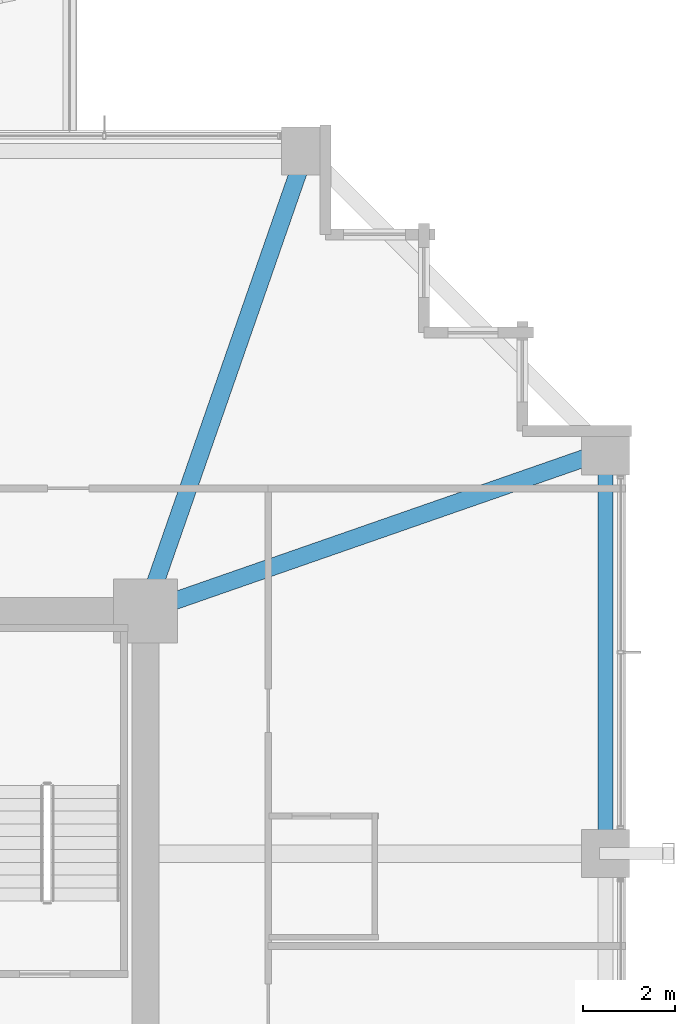
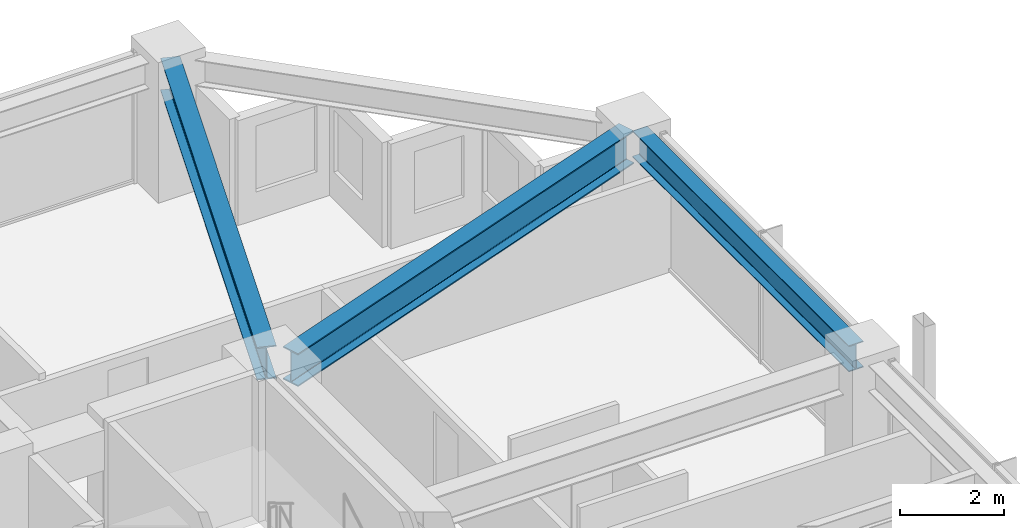
# One storey, part 24 of 38: 3 beams.
"""IFC4 building model written with IfcOpenShell, lengths in metres."""

import ifcopenshell
import ifcopenshell.guid

model = None  # the IFC model being written
_history = None  # IfcOwnerHistory: only IFC2X3 demands one
_inside = {}  # id of a spatial element -> (the spatial element, [elements in it])
_under = {}  # id of a project, library or spatial element -> (it, [spatial elements below it])
_declared = {}  # id of a project -> (the project, [libraries it declares])
_typed = {}  # id of a type object -> (the type object, [elements of that type])
_made_of = {}  # id of a material, layer set ... -> (it, [elements and type objects made of it])


def new_model(schema):
    """Start an empty IFC model of exactly this schema.

    Asked for "IFC4X3", IfcOpenShell would pick the latest addendum, in which some entities
    have other attributes; the version numbers below select the first issue.
    IFC2X3 requires an IfcOwnerHistory on every rooted entity: one is made here for all.
    """
    global model, _history
    if schema == "IFC4X3":
        model = ifcopenshell.file(schema_version=(4, 3, 0, 0))
    else:
        model = ifcopenshell.file(schema=schema)
    _inside.clear()
    _under.clear()
    _declared.clear()
    _typed.clear()
    _made_of.clear()
    _history = None
    if model.schema == "IFC2X3":
        org = make("IfcOrganization", Name="unknown")
        user = make(
            "IfcPersonAndOrganization",
            ThePerson=make("IfcPerson", FamilyName="unknown"),
            TheOrganization=org,
        )
        app = make(
            "IfcApplication",
            ApplicationDeveloper=org,
            Version="unknown",
            ApplicationFullName="unknown",
            ApplicationIdentifier="unknown",
        )
        _history = make(
            "IfcOwnerHistory",
            OwningUser=user,
            OwningApplication=app,
            ChangeAction="ADDED",
            CreationDate=0,
        )
    return model


def make(cls, **values):
    """One entity of the class cls with the attributes given. An attribute that is None is left unset."""
    return model.create_entity(
        cls, **{name: value for name, value in values.items() if value is not None}
    )


def rooted(cls, **values):
    """An entity with a GlobalId (a new one), such as an element, a storey or a relation."""
    return make(cls, GlobalId=ifcopenshell.guid.new(), OwnerHistory=_history, **values)


def si_unit(unit_type, name, prefix=None):
    """IfcSIUnit, for example si_unit("LENGTHUNIT", "METRE", prefix="MILLI")."""
    return make("IfcSIUnit", UnitType=unit_type, Prefix=prefix, Name=name)


def assignment(units):
    """IfcUnitAssignment: the units of a project."""
    return None if units is None else make("IfcUnitAssignment", Units=units)


def point(xyz):
    """IfcCartesianPoint."""
    return None if xyz is None else make("IfcCartesianPoint", Coordinates=xyz)


def direction(xyz):
    """IfcDirection."""
    return None if xyz is None else make("IfcDirection", DirectionRatios=xyz)


def frame(location, z_axis=None, x_axis=None):
    """IfcAxis2Placement3D, a coordinate frame: its origin and axes. An axis left out is left unset."""
    return make(
        "IfcAxis2Placement3D",
        Location=point(location),
        Axis=direction(z_axis),
        RefDirection=direction(x_axis),
    )


def frame_2d(location, x_axis=None):
    """IfcAxis2Placement2D, a coordinate frame in the plane: its origin and x axis."""
    return make(
        "IfcAxis2Placement2D", Location=point(location), RefDirection=direction(x_axis)
    )


def origin():
    """The frame at (0, 0, 0) with its axes left unset."""
    return frame((0.0, 0.0, 0.0))


def origin_2d():
    """The frame at (0, 0) in the plane with its x axis left unset."""
    return frame_2d((0.0, 0.0))


def place(relative_to, where):
    """IfcLocalPlacement: puts the frame where relative to a parent placement (None: the world)."""
    return make(
        "IfcLocalPlacement", PlacementRelTo=relative_to, RelativePlacement=where
    )


def context(
    kind, dimensions, precision=None, world=None, true_north=None, identifier=None
):
    """IfcGeometricRepresentationContext, for example the 3D "Model" context."""
    return make(
        "IfcGeometricRepresentationContext",
        ContextIdentifier=identifier,
        ContextType=kind,
        CoordinateSpaceDimension=dimensions,
        Precision=precision,
        WorldCoordinateSystem=world,
        TrueNorth=true_north,
    )


def subcontext(parent, identifier, kind, view, scale=None):
    """IfcGeometricRepresentationSubContext, for example "Body" below "Model"."""
    return make(
        "IfcGeometricRepresentationSubContext",
        ContextIdentifier=identifier,
        ContextType=kind,
        ParentContext=parent,
        TargetScale=scale,
        TargetView=view,
    )


def project(units=None, contexts=None):
    """IfcProject with its units and contexts."""
    return rooted(
        "IfcProject",
        Name="project",
        RepresentationContexts=contexts,
        UnitsInContext=assignment(units),
    )


def spatial(cls, under=None, at=None, **own):
    """A site, building, storey or space (cls), placed at a placement, below another one or the project."""
    s = rooted(cls, ObjectPlacement=at, **own)
    if under is not None:
        _under.setdefault(under.id(), (under, []))[1].append(s)
    return s


def profile(cls, at=None, kind="AREA", **sizes):
    """A parametric profile (cls). Its sizes go by their IFC names, for example OverallWidth=200.0."""
    return make(cls, ProfileType=kind, Position=at, **sizes)


def i_section(**sizes):
    """IfcIShapeProfileDef."""
    return profile("IfcIShapeProfileDef", **sizes)


def extrude(swept, where, along, depth):
    """IfcExtrudedAreaSolid: the profile swept, set in the frame where, extruded along a direction by depth."""
    return make(
        "IfcExtrudedAreaSolid",
        SweptArea=swept,
        Position=where,
        ExtrudedDirection=direction(along),
        Depth=depth,
    )


def shape(context_of_items, identifier, shape_type, items):
    """IfcShapeRepresentation: the items that make up one representation, for example the "Body"."""
    return make(
        "IfcShapeRepresentation",
        ContextOfItems=context_of_items,
        RepresentationIdentifier=identifier,
        RepresentationType=shape_type,
        Items=items,
    )


def material(Name=None, Category=None):
    """IfcMaterial."""
    return make("IfcMaterial", Name=Name, Category=Category)


def material_profile(
    of_material, cross_section, Name=None, Category=None, Priority=None
):
    """IfcMaterialProfile: a cross section and its material."""
    return make(
        "IfcMaterialProfile",
        Name=Name,
        Material=of_material,
        Profile=cross_section,
        Priority=Priority,
        Category=Category,
    )


def profile_set(profiles, Name=None, composite=None):
    """IfcMaterialProfileSet."""
    return make(
        "IfcMaterialProfileSet",
        Name=Name,
        MaterialProfiles=profiles,
        CompositeProfile=composite,
    )


def made_of(thing, what):
    """Note that an element or type object is made of a material, layer set ...; save() writes the relation."""
    if what is not None:
        _made_of.setdefault(what.id(), (what, []))[1].append(thing)
    return thing


def type_object(cls, material=None, **own):
    """A type object (cls), such as IfcWallType, which elements share."""
    return made_of(rooted(cls, **own), material)


def element(
    cls,
    number,
    at=None,
    inside=None,
    cuts=None,
    type_object=None,
    material=None,
    context=None,
    identifier="Body",
    shape_type=None,
    held_by="IfcProductDefinitionShape",
    body=None,
    shapes=None,
    **own,
):
    """One element of the class cls, such as IfcWall. Its Tag is "e" and its number.

    at: its placement. inside: the storey or other place that contains it. cuts: it is an
    opening in that element (IfcRelVoidsElement). A single representation is given by context,
    identifier, shape_type and body (its items); several are given by shapes. held_by: the class
    of the entity that holds the representations. save() writes the other relations.
    """
    e = rooted(cls, Tag="e%d" % number, ObjectPlacement=at, **own)
    if body is not None:
        shapes = [shape(context, identifier, shape_type, body)]
    if shapes is not None:
        e.Representation = make(held_by, Representations=shapes)
    if inside is not None:
        _inside.setdefault(inside.id(), (inside, []))[1].append(e)
    if cuts is not None:
        rooted(
            "IfcRelVoidsElement", RelatingBuildingElement=cuts, RelatedOpeningElement=e
        )
    if type_object is not None:
        _typed.setdefault(type_object.id(), (type_object, []))[1].append(e)
    return made_of(e, material)


def aggregate(whole, parts):
    """IfcRelAggregates: a whole, such as a stair, and the parts it consists of."""
    return rooted("IfcRelAggregates", RelatingObject=whole, RelatedObjects=parts)


def save(model, path):
    """Write the relations noted so far, then the file.

    IfcRelAggregates (storeys below a building ...), IfcRelContainedInSpatialStructure (elements
    in a storey), IfcRelDefinesByType, IfcRelAssociatesMaterial and IfcRelDeclares: one each for
    every whole, place, type object, material and project.
    """
    for whole, parts in _under.values():
        aggregate(whole, parts)
    for where, things in _inside.values():
        rooted(
            "IfcRelContainedInSpatialStructure",
            RelatedElements=things,
            RelatingStructure=where,
        )
    for kind, things in _typed.values():
        rooted("IfcRelDefinesByType", RelatedObjects=things, RelatingType=kind)
    for what, things in _made_of.values():
        rooted("IfcRelAssociatesMaterial", RelatedObjects=things, RelatingMaterial=what)
    for by, libraries in _declared.values():
        rooted("IfcRelDeclares", RelatingContext=by, RelatedDefinitions=libraries)
    model.write(path)


model = new_model("IFC4")

# Units and contexts
model_context = context("Model", 3, precision=1e-05, world=origin(), true_north=direction((0.0, 1.0)))
body_context = subcontext(model_context, "Body", "Model", "MODEL_VIEW")
ifc_project = project(units=[si_unit("LENGTHUNIT", "METRE"), si_unit("AREAUNIT", "SQUARE_METRE"), si_unit("VOLUMEUNIT", "CUBIC_METRE"), si_unit("PLANEANGLEUNIT", "RADIAN"), si_unit("MASSUNIT", "GRAM", prefix="KILO")], contexts=[model_context])

# Site, building, storey
site_placement = place(None, origin())
site = spatial("IfcSite", under=ifc_project, at=site_placement, CompositionType="ELEMENT")
building_placement = place(site_placement, origin())
building = spatial("IfcBuilding", under=site, at=building_placement, Name="Kolvaren Belvedere", CompositionType="ELEMENT")
storey_placement = place(building_placement, frame((0.0, 0.0, 78.800048828125)))
storey = spatial("IfcBuildingStorey", under=building, at=storey_placement, Name="L22", CompositionType="ELEMENT", Elevation=78.800048828125)

# Beams
ifc_material_1 = material(Name="Structural steel ASTM A992 Grade 50", Category="steel")
ifc_material_profile_1 = material_profile(ifc_material_1, i_section(OverallWidth=0.381103515625, OverallDepth=0.77294921875, WebThickness=0.0166015625, FlangeThickness=0.027099609375, FilletRadius=0.02392578125, at=origin_2d()), Name="W30X173")
ifc_profile_set_1 = profile_set([ifc_material_profile_1], Name="Structural steel ASTM A992 Grade 50")
beam_type_1 = type_object("IfcBeamType", Name="BM-GIRD-W30X173", PredefinedType="BEAM", material=ifc_profile_set_1)
for number, where, z_axis, x_axis, name in (
    (1, (10.080810546875, 10.41943359375, 2.693359375), (0.328880894453, 0.944371408538, 0.0), (-0.944371408538, 0.328880894453, 0.0), "L22 Corner Core-to-Perimeter Girder CC3-N4"),
    (2, (10.41943359375, 10.080810546875, 2.693359375), (0.944371408538, 0.328880894453, 0.0), (-0.328880894453, 0.944371408538, 0.0), "L22 Corner Core-to-Perimeter Girder CC3-E4"),
):
    element("IfcBeam", number, at=place(storey_placement, frame(where, z_axis=z_axis, x_axis=x_axis)), inside=storey, type_object=beam_type_1, Name=name, PredefinedType="BEAM", context=body_context, shape_type="SweptSolid", body=[
        extrude(i_section(OverallWidth=0.381103515625, OverallDepth=0.77294921875, WebThickness=0.0166015625, FlangeThickness=0.027099609375, FilletRadius=0.02392578125, at=origin_2d()), origin(), (0.0, 0.0, 1.0), 9.882080078125),
    ])
ifc_material_2 = material(Name="Structural steel ASTM A992 Grade 50", Category="steel")
ifc_material_profile_2 = material_profile(ifc_material_2, i_section(OverallWidth=0.324951171875, OverallDepth=0.615966796875, WebThickness=0.013916015625, FlangeThickness=0.021484375, FilletRadius=0.02001953125, at=origin_2d()), Name="W24X117")
ifc_profile_set_2 = profile_set([ifc_material_profile_2], Name="Structural steel ASTM A992 Grade 50")
beam_type_2 = type_object("IfcBeamType", Name="BM-SPAN-W24X117", PredefinedType="SPANDREL", material=ifc_profile_set_2)
beam_placement = place(storey_placement, frame((19.949951171875, 4.836181640625, 2.77197265625), z_axis=(0.0, 1.0, 0.0), x_axis=(-1.0, 0.0, 0.0)))
element("IfcBeam", 3, at=beam_placement, inside=storey, type_object=beam_type_2, Name="L22 Perimeter Spandrel E3-E4", PredefinedType="SPANDREL", context=body_context, shape_type="SweptSolid", body=[
    extrude(i_section(OverallWidth=0.324951171875, OverallDepth=0.615966796875, WebThickness=0.013916015625, FlangeThickness=0.021484375, FilletRadius=0.02001953125, at=origin_2d()), origin(), (0.0, 0.0, 1.0), 8.32763671875),
])

save(model, "model.ifc")
